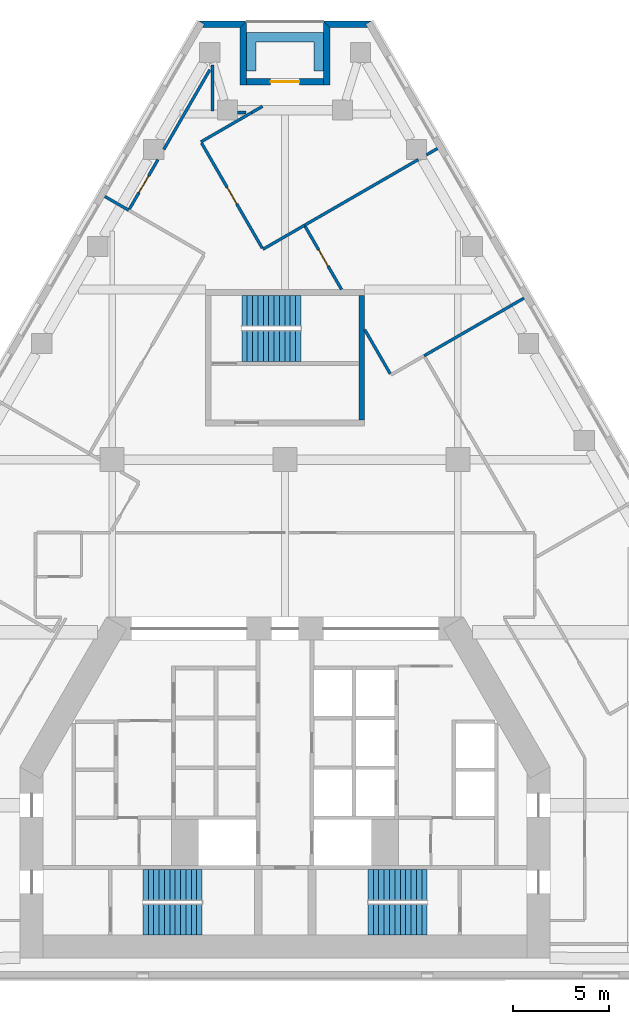
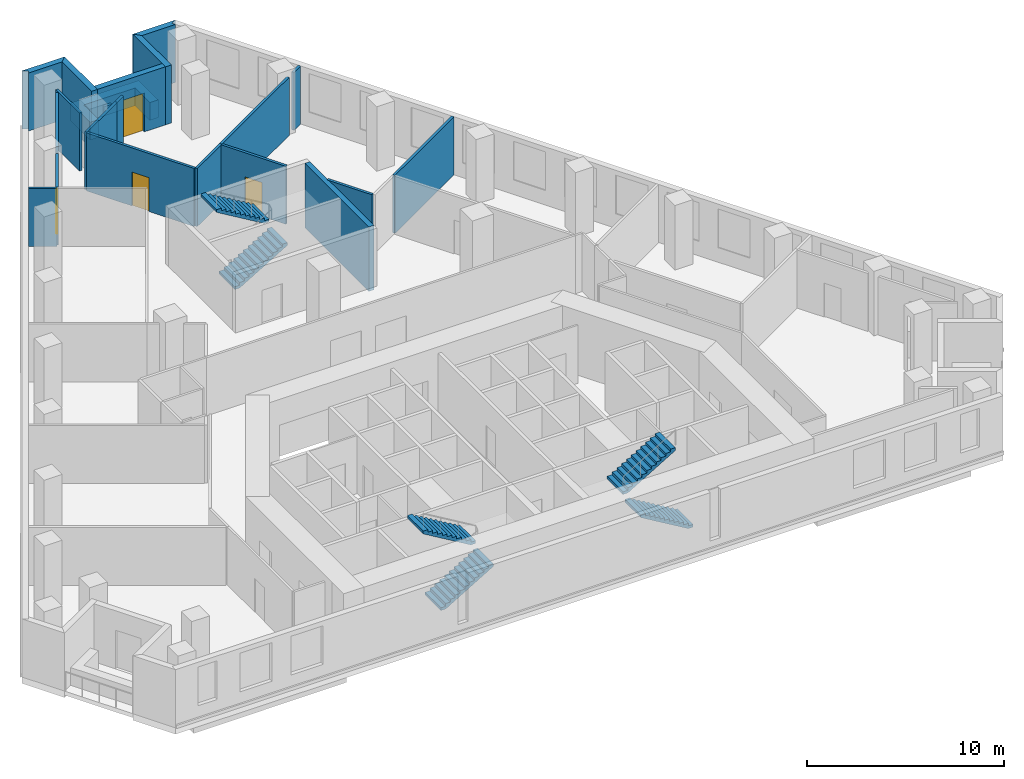
# One storey, part 7 of 8: 21 walls, 6 stair flights, 4 doors, 4 openings, 3 elements without a shape of their own.
"""IFC4 building model written with IfcOpenShell, lengths in metres."""

import ifcopenshell
import ifcopenshell.guid

model = None  # the IFC model being written
_history = None  # IfcOwnerHistory: only IFC2X3 demands one
_inside = {}  # id of a spatial element -> (the spatial element, [elements in it])
_under = {}  # id of a project, library or spatial element -> (it, [spatial elements below it])
_declared = {}  # id of a project -> (the project, [libraries it declares])
_typed = {}  # id of a type object -> (the type object, [elements of that type])
_made_of = {}  # id of a material, layer set ... -> (it, [elements and type objects made of it])


def new_model(schema):
    """Start an empty IFC model of exactly this schema.

    Asked for "IFC4X3", IfcOpenShell would pick the latest addendum, in which some entities
    have other attributes; the version numbers below select the first issue.
    IFC2X3 requires an IfcOwnerHistory on every rooted entity: one is made here for all.
    """
    global model, _history
    if schema == "IFC4X3":
        model = ifcopenshell.file(schema_version=(4, 3, 0, 0))
    else:
        model = ifcopenshell.file(schema=schema)
    _inside.clear()
    _under.clear()
    _declared.clear()
    _typed.clear()
    _made_of.clear()
    _history = None
    if model.schema == "IFC2X3":
        org = make("IfcOrganization", Name="unknown")
        user = make(
            "IfcPersonAndOrganization",
            ThePerson=make("IfcPerson", FamilyName="unknown"),
            TheOrganization=org,
        )
        app = make(
            "IfcApplication",
            ApplicationDeveloper=org,
            Version="unknown",
            ApplicationFullName="unknown",
            ApplicationIdentifier="unknown",
        )
        _history = make(
            "IfcOwnerHistory",
            OwningUser=user,
            OwningApplication=app,
            ChangeAction="ADDED",
            CreationDate=0,
        )
    return model


def make(cls, **values):
    """One entity of the class cls with the attributes given. An attribute that is None is left unset."""
    return model.create_entity(
        cls, **{name: value for name, value in values.items() if value is not None}
    )


def rooted(cls, **values):
    """An entity with a GlobalId (a new one), such as an element, a storey or a relation."""
    return make(cls, GlobalId=ifcopenshell.guid.new(), OwnerHistory=_history, **values)


def si_unit(unit_type, name, prefix=None):
    """IfcSIUnit, for example si_unit("LENGTHUNIT", "METRE", prefix="MILLI")."""
    return make("IfcSIUnit", UnitType=unit_type, Prefix=prefix, Name=name)


def assignment(units):
    """IfcUnitAssignment: the units of a project."""
    return None if units is None else make("IfcUnitAssignment", Units=units)


def point(xyz):
    """IfcCartesianPoint."""
    return None if xyz is None else make("IfcCartesianPoint", Coordinates=xyz)


def direction(xyz):
    """IfcDirection."""
    return None if xyz is None else make("IfcDirection", DirectionRatios=xyz)


def frame(location, z_axis=None, x_axis=None):
    """IfcAxis2Placement3D, a coordinate frame: its origin and axes. An axis left out is left unset."""
    return make(
        "IfcAxis2Placement3D",
        Location=point(location),
        Axis=direction(z_axis),
        RefDirection=direction(x_axis),
    )


def frame_2d(location, x_axis=None):
    """IfcAxis2Placement2D, a coordinate frame in the plane: its origin and x axis."""
    return make(
        "IfcAxis2Placement2D", Location=point(location), RefDirection=direction(x_axis)
    )


def origin():
    """The frame at (0, 0, 0) with its axes left unset."""
    return frame((0.0, 0.0, 0.0))


def place(relative_to, where):
    """IfcLocalPlacement: puts the frame where relative to a parent placement (None: the world)."""
    return make(
        "IfcLocalPlacement", PlacementRelTo=relative_to, RelativePlacement=where
    )


def context(
    kind, dimensions, precision=None, world=None, true_north=None, identifier=None
):
    """IfcGeometricRepresentationContext, for example the 3D "Model" context."""
    return make(
        "IfcGeometricRepresentationContext",
        ContextIdentifier=identifier,
        ContextType=kind,
        CoordinateSpaceDimension=dimensions,
        Precision=precision,
        WorldCoordinateSystem=world,
        TrueNorth=true_north,
    )


def subcontext(parent, identifier, kind, view, scale=None):
    """IfcGeometricRepresentationSubContext, for example "Body" below "Model"."""
    return make(
        "IfcGeometricRepresentationSubContext",
        ContextIdentifier=identifier,
        ContextType=kind,
        ParentContext=parent,
        TargetScale=scale,
        TargetView=view,
    )


def project(units=None, contexts=None):
    """IfcProject with its units and contexts."""
    return rooted(
        "IfcProject",
        Name="project",
        RepresentationContexts=contexts,
        UnitsInContext=assignment(units),
    )


def spatial(cls, under=None, at=None, **own):
    """A site, building, storey or space (cls), placed at a placement, below another one or the project."""
    s = rooted(cls, ObjectPlacement=at, **own)
    if under is not None:
        _under.setdefault(under.id(), (under, []))[1].append(s)
    return s


def polyline(points):
    """IfcPolyline through the points."""
    return make("IfcPolyline", Points=[point(p) for p in points])


def profile(cls, at=None, kind="AREA", **sizes):
    """A parametric profile (cls). Its sizes go by their IFC names, for example OverallWidth=200.0."""
    return make(cls, ProfileType=kind, Position=at, **sizes)


def rectangle(**sizes):
    """IfcRectangleProfileDef."""
    return profile("IfcRectangleProfileDef", **sizes)


def outline(outer, holes=None, kind="AREA"):
    """IfcArbitraryClosedProfileDef: a profile drawn as a closed curve; with holes, ...WithVoids."""
    if holes is None:
        return make("IfcArbitraryClosedProfileDef", ProfileType=kind, OuterCurve=outer)
    return make(
        "IfcArbitraryProfileDefWithVoids",
        ProfileType=kind,
        OuterCurve=outer,
        InnerCurves=holes,
    )


def extrude(swept, where, along, depth):
    """IfcExtrudedAreaSolid: the profile swept, set in the frame where, extruded along a direction by depth."""
    return make(
        "IfcExtrudedAreaSolid",
        SweptArea=swept,
        Position=where,
        ExtrudedDirection=direction(along),
        Depth=depth,
    )


def shape(context_of_items, identifier, shape_type, items):
    """IfcShapeRepresentation: the items that make up one representation, for example the "Body"."""
    return make(
        "IfcShapeRepresentation",
        ContextOfItems=context_of_items,
        RepresentationIdentifier=identifier,
        RepresentationType=shape_type,
        Items=items,
    )


def material(Name=None, Category=None):
    """IfcMaterial."""
    return make("IfcMaterial", Name=Name, Category=Category)


def layer(
    of_material, thickness, ventilated=None, Name=None, Category=None, Priority=None
):
    """IfcMaterialLayer: one layer of a wall or slab, of a material (None: an air gap)."""
    return make(
        "IfcMaterialLayer",
        Material=of_material,
        LayerThickness=thickness,
        IsVentilated=ventilated,
        Name=Name,
        Category=Category,
        Priority=Priority,
    )


def layer_set(layers, Name=None):
    """IfcMaterialLayerSet."""
    return make("IfcMaterialLayerSet", MaterialLayers=layers, LayerSetName=Name)


def made_of(thing, what):
    """Note that an element or type object is made of a material, layer set ...; save() writes the relation."""
    if what is not None:
        _made_of.setdefault(what.id(), (what, []))[1].append(thing)
    return thing


def type_object(cls, material=None, **own):
    """A type object (cls), such as IfcWallType, which elements share."""
    return made_of(rooted(cls, **own), material)


def element(
    cls,
    number,
    at=None,
    inside=None,
    cuts=None,
    type_object=None,
    material=None,
    context=None,
    identifier="Body",
    shape_type=None,
    held_by="IfcProductDefinitionShape",
    body=None,
    shapes=None,
    **own,
):
    """One element of the class cls, such as IfcWall. Its Tag is "e" and its number.

    at: its placement. inside: the storey or other place that contains it. cuts: it is an
    opening in that element (IfcRelVoidsElement). A single representation is given by context,
    identifier, shape_type and body (its items); several are given by shapes. held_by: the class
    of the entity that holds the representations. save() writes the other relations.
    """
    e = rooted(cls, Tag="e%d" % number, ObjectPlacement=at, **own)
    if body is not None:
        shapes = [shape(context, identifier, shape_type, body)]
    if shapes is not None:
        e.Representation = make(held_by, Representations=shapes)
    if inside is not None:
        _inside.setdefault(inside.id(), (inside, []))[1].append(e)
    if cuts is not None:
        rooted(
            "IfcRelVoidsElement", RelatingBuildingElement=cuts, RelatedOpeningElement=e
        )
    if type_object is not None:
        _typed.setdefault(type_object.id(), (type_object, []))[1].append(e)
    return made_of(e, material)


def fill(opening, filler):
    """IfcRelFillsElement: the door or window that sits in an opening."""
    return rooted(
        "IfcRelFillsElement",
        RelatingOpeningElement=opening,
        RelatedBuildingElement=filler,
    )


def aggregate(whole, parts):
    """IfcRelAggregates: a whole, such as a stair, and the parts it consists of."""
    return rooted("IfcRelAggregates", RelatingObject=whole, RelatedObjects=parts)


def save(model, path):
    """Write the relations noted so far, then the file.

    IfcRelAggregates (storeys below a building ...), IfcRelContainedInSpatialStructure (elements
    in a storey), IfcRelDefinesByType, IfcRelAssociatesMaterial and IfcRelDeclares: one each for
    every whole, place, type object, material and project.
    """
    for whole, parts in _under.values():
        aggregate(whole, parts)
    for where, things in _inside.values():
        rooted(
            "IfcRelContainedInSpatialStructure",
            RelatedElements=things,
            RelatingStructure=where,
        )
    for kind, things in _typed.values():
        rooted("IfcRelDefinesByType", RelatedObjects=things, RelatingType=kind)
    for what, things in _made_of.values():
        rooted("IfcRelAssociatesMaterial", RelatedObjects=things, RelatingMaterial=what)
    for by, libraries in _declared.values():
        rooted("IfcRelDeclares", RelatingContext=by, RelatedDefinitions=libraries)
    model.write(path)


model = new_model("IFC4")

# Units and contexts
model_context = context("Model", 3, precision=1e-05, world=origin(), true_north=direction((0.0, 1.0)))
body_context = subcontext(model_context, "Body", "Model", "MODEL_VIEW")
ifc_project = project(units=[si_unit("LENGTHUNIT", "METRE"), si_unit("AREAUNIT", "SQUARE_METRE"), si_unit("VOLUMEUNIT", "CUBIC_METRE"), si_unit("PLANEANGLEUNIT", "RADIAN"), si_unit("MASSUNIT", "GRAM", prefix="KILO")], contexts=[model_context])

# Site, building, storey
site_placement = place(None, origin())
site = spatial("IfcSite", under=ifc_project, at=site_placement, CompositionType="ELEMENT")
building_placement = place(site_placement, origin())
building = spatial("IfcBuilding", under=site, at=building_placement, Name="Fogline Exchange Tower", CompositionType="ELEMENT")
storey_placement = place(building_placement, frame((0.0, 0.0, 158.89990234375)))
storey = spatial("IfcBuildingStorey", under=building, at=storey_placement, Name="L35", CompositionType="ELEMENT", Elevation=158.89990234375)

# Walls
ifc_material_1 = material(Name="Concrete C40", Category="concrete")
ifc_layer_1 = layer(ifc_material_1, 0.300048828125)
ifc_layer_set_1 = layer_set([ifc_layer_1], Name="CW30")
wall_type_1 = type_object("IfcWallType", Name="CW30", PredefinedType="SOLIDWALL", material=ifc_layer_set_1)
wall_1_placement = place(storey_placement, frame((4.0, 29.056884765625, -0.39990234375), z_axis=(0.0, 0.0, 1.0), x_axis=(0.0, 1.0, 0.0)))
element("IfcWall", 1, at=wall_1_placement, inside=storey, type_object=wall_type_1, Name="Stair enclosure wall ST3", PredefinedType="SOLIDWALL", context=body_context, shape_type="SweptSolid", body=[
    extrude(rectangle(XDim=6.5, YDim=0.300048828125, at=frame_2d((3.25, 0.0))), origin(), (0.0, 0.0, 1.0), 4.0),
])
ifc_material_2 = material(Name="Brick masonry", Category="masonry")
ifc_layer_2 = layer(ifc_material_2, 0.340087890625)
ifc_layer_set_2 = layer_set([ifc_layer_2], Name="FW1")
wall_type_2 = type_object("IfcWallType", Name="FW1", PredefinedType="SOLIDWALL", material=ifc_layer_set_2)
wall_2_placement = place(storey_placement, origin())
element("IfcWall", 2, at=wall_2_placement, inside=storey, type_object=wall_type_2, Name="Brick wall L35 N-c1", PredefinedType="SOLIDWALL", context=body_context, shape_type="SweptSolid", body=[
    extrude(outline(polyline([(1.9990234375, 49.84228515625), (4.5009765625, 49.84228515625), (4.501220703125, 49.841552734375), (4.206298828125, 49.67138671875), (4.3046875, 49.5009765625), (2.33984375, 49.5009765625), (1.998779296875, 49.842041015625), (1.9990234375, 49.84228515625)])), origin(), (0.0, 0.0, 1.0), 3.60009765625),
])
wall_3_placement = place(storey_placement, origin())
element("IfcWall", 3, at=wall_3_placement, inside=storey, type_object=wall_type_2, Name="Brick wall L35 N-s1", PredefinedType="SOLIDWALL", context=body_context, shape_type="SweptSolid", body=[
    extrude(outline(polyline([(2.340576171875, 46.5009765625), (1.99951171875, 46.5009765625), (1.99951171875, 49.8427734375), (1.999755859375, 49.8427734375), (2.340576171875, 49.501953125), (2.340576171875, 46.5009765625)])), origin(), (0.0, 0.0, 1.0), 3.60009765625),
])

# Wall, opening, door
wall_4_placement = place(storey_placement, frame((2.0, 46.671630859375, 0.0), z_axis=(0.0, 0.0, 1.0), x_axis=(-1.0, 0.0, 0.0)))
wall_4 = element("IfcWall", 4, at=wall_4_placement, inside=storey, type_object=wall_type_2, Name="Brick wall L35 N-bk", PredefinedType="SOLIDWALL", context=body_context, shape_type="SweptSolid", body=[
    extrude(rectangle(XDim=4.0, YDim=0.340087890625, at=frame_2d((2.0, 0.0))), origin(), (0.0, 0.0, 1.0), 3.60009765625),
])
opening_1_placement = place(wall_4_placement, frame((1.25, 0.0, 0.0)))
opening_1 = element("IfcOpeningElement", 5, at=opening_1_placement, cuts=wall_4, Name="Opening T11-E141", PredefinedType="OPENING", context=body_context, shape_type="SweptSolid", body=[
    extrude(rectangle(XDim=1.5, YDim=2.39990234375, at=frame_2d((0.75, 1.199951171875))), frame((0.0, 0.18017578125, 0.0), z_axis=(0.0, -1.0, 0.0), x_axis=(1.0, 0.0, 0.0)), (0.0, 0.0, 1.0), 0.360107421875),
])
ifc_material_3 = material(Name="Aluminium and glass", Category="aluminium")
door_type_1 = type_object("IfcDoorType", Name="ED4", OperationType="SINGLE_SWING_LEFT", PredefinedType="DOOR", material=ifc_material_3)
door_1_placement = place(opening_1_placement, frame((1.5, 0.0, 0.0), z_axis=(0.0, 0.0, 1.0), x_axis=(-1.0, 0.0, 0.0)))
door_1 = element("IfcDoor", 6, at=door_1_placement, inside=storey, type_object=door_type_1, Name="Balcony door L35 N", OperationType="DOUBLE_DOOR_SINGLE_SWING", OverallHeight=2.39990234375, OverallWidth=1.5, PredefinedType="DOOR", context=body_context, shape_type="SweptSolid", body=[
    extrude(rectangle(XDim=1.5, YDim=2.39990234375, at=frame_2d((0.75, 1.199951171875))), frame((0.0, 0.02490234375, 0.0), z_axis=(0.0, -1.0, 0.0), x_axis=(1.0, 0.0, 0.0)), (0.0, 0.0, 1.0), 0.050048828125),
])
fill(opening_1, door_1)

# Walls
wall_5_placement = place(storey_placement, origin())
element("IfcWall", 7, at=wall_5_placement, inside=storey, type_object=wall_type_2, Name="Brick wall L35 N-s2", PredefinedType="SOLIDWALL", context=body_context, shape_type="SweptSolid", body=[
    extrude(outline(polyline([(-1.99951171875, 49.8427734375), (-1.99951171875, 46.5009765625), (-2.340576171875, 46.5009765625), (-2.340576171875, 49.501953125), (-1.999755859375, 49.8427734375), (-1.99951171875, 49.8427734375)])), origin(), (0.0, 0.0, 1.0), 3.60009765625),
])
wall_6_placement = place(storey_placement, origin())
element("IfcWall", 8, at=wall_6_placement, inside=storey, type_object=wall_type_2, Name="Brick wall L35 N-c2", PredefinedType="SOLIDWALL", context=body_context, shape_type="SweptSolid", body=[
    extrude(outline(polyline([(-4.3046875, 49.5009765625), (-4.206298828125, 49.67138671875), (-4.501220703125, 49.841552734375), (-4.5009765625, 49.84228515625), (-1.9990234375, 49.84228515625), (-1.998779296875, 49.842041015625), (-2.33984375, 49.5009765625), (-4.3046875, 49.5009765625)])), origin(), (0.0, 0.0, 1.0), 3.60009765625),
])
ifc_material_4 = material(Name="Concrete C30", Category="concrete")
ifc_layer_3 = layer(ifc_material_4, 0.199951171875)
ifc_layer_set_3 = layer_set([ifc_layer_3], Name="PL1")
wall_type_3 = type_object("IfcWallType", Name="PL1", PredefinedType="USERDEFINED", material=ifc_layer_set_3)
wall_7_placement = place(storey_placement, origin())
element("IfcWall", 9, at=wall_7_placement, inside=storey, type_object=wall_type_3, Name="PLANTER balcony L35 N", ObjectType="PLANTER", PredefinedType="USERDEFINED", context=body_context, shape_type="SweptSolid", body=[
    extrude(outline(polyline([(-1.5, 49.24169921875), (-2.0, 49.24169921875), (-2.0, 48.74169921875), (-2.0, 47.24169921875), (-1.5, 47.24169921875), (-1.5, 48.74169921875), (1.5, 48.74169921875), (1.5, 47.24169921875), (2.0, 47.24169921875), (2.0, 48.74169921875), (2.0, 49.24169921875), (1.5, 49.24169921875), (-1.5, 49.24169921875)])), origin(), (0.0, 0.0, 1.0), 1.10009765625),
])
ifc_material_5 = material(Name="Plasterboard demising partition with mineral wool and acoustic board")
ifc_layer_4 = layer(ifc_material_5, 0.14990234375)
ifc_layer_set_4 = layer_set([ifc_layer_4], Name="PW3")
wall_type_4 = type_object("IfcWallType", Name="PW3", PredefinedType="PARTITIONING", material=ifc_layer_set_4)
wall_8_placement = place(storey_placement, frame((7.2451171875, 32.40673828125, 0.0), z_axis=(0.0, 0.0, 1.0), x_axis=(0.866031096941, 0.499990139034, 0.0)))
element("IfcWall", 10, at=wall_8_placement, inside=storey, type_object=wall_type_4, Name="wall-L35-W023", PredefinedType="PARTITIONING", context=body_context, shape_type="SweptSolid", body=[
    extrude(rectangle(XDim=6.0, YDim=0.14990234375, at=frame_2d((3.0, 0.0))), origin(), (0.0, 0.0, 1.0), 3.60009765625),
])
wall_9_placement = place(storey_placement, frame((1.01318359375, 39.200927734375, 0.0), z_axis=(0.0, 0.0, 1.0), x_axis=(0.866025119933, 0.500000491645, 0.0)))
element("IfcWall", 11, at=wall_9_placement, inside=storey, type_object=wall_type_4, Name="wall-L35-W025", PredefinedType="PARTITIONING", context=body_context, shape_type="SweptSolid", body=[
    extrude(rectangle(XDim=6.8408203125, YDim=0.14990234375, at=frame_2d((3.42041015625, 0.0))), origin(), (0.0, 0.0, 1.0), 3.60009765625),
])
wall_10_placement = place(storey_placement, frame((7.36328125, 42.8671875, 0.0), z_axis=(0.0, 0.0, 1.0), x_axis=(0.866051602307, 0.499954620082, 0.0)))
element("IfcWall", 12, at=wall_10_placement, inside=storey, type_object=wall_type_4, Name="wall-L35-W026", PredefinedType="PARTITIONING", context=body_context, shape_type="SweptSolid", body=[
    extrude(rectangle(XDim=0.66748046875, YDim=0.14990234375, at=frame_2d((0.333740234375, 0.0))), origin(), (0.0, 0.0, 1.0), 3.60009765625),
])
wall_11_placement = place(storey_placement, frame((5.4755859375, 31.4716796875, 0.0), z_axis=(0.0, 0.0, 1.0), x_axis=(-0.500001430823, 0.866024577697, 0.0)))
element("IfcWall", 13, at=wall_11_placement, inside=storey, type_object=wall_type_4, Name="wall-L35-W028", PredefinedType="PARTITIONING", context=body_context, shape_type="SweptSolid", body=[
    extrude(rectangle(XDim=2.6513671875, YDim=0.14990234375, at=frame_2d((1.32568359375, 0.0))), origin(), (0.0, 0.0, 1.0), 3.60009765625),
])

# Wall, opening, door
wall_12_placement = place(storey_placement, frame((2.94384765625, 35.85693359375, 0.0), z_axis=(0.0, 0.0, 1.0), x_axis=(-0.49998106849, 0.866036333621, 0.0)))
wall_12 = element("IfcWall", 14, at=wall_12_placement, inside=storey, type_object=wall_type_4, Name="wall-L35-W029", PredefinedType="PARTITIONING", context=body_context, shape_type="SweptSolid", body=[
    extrude(rectangle(XDim=3.786376953125, YDim=0.14990234375, at=frame_2d((1.89306640625, 0.0))), origin(), (0.0, 0.0, 1.0), 3.60009765625),
])
opening_2_placement = place(wall_12_placement, frame((1.39306640625, 0.0, 0.0)))
opening_2 = element("IfcOpeningElement", 15, at=opening_2_placement, cuts=wall_12, Name="Opening T11-D009", PredefinedType="OPENING", context=body_context, shape_type="SweptSolid", body=[
    extrude(rectangle(XDim=1.0, YDim=2.10009765625, at=frame_2d((0.5, 1.050048828125))), frame((0.0, 0.0849609375, 0.0), z_axis=(0.0, -1.0, 0.0), x_axis=(1.0, 0.0, 0.0)), (0.0, 0.0, 1.0), 0.169921875),
])
ifc_material_6 = material(Name="Fire-rated timber door leaf with steel frame", Category="steel")
door_type_2 = type_object("IfcDoorType", Name="D3", OperationType="SINGLE_SWING_LEFT", PredefinedType="DOOR", material=ifc_material_6)
door_2_placement = place(opening_2_placement, frame((1.0, 0.0, 0.0), z_axis=(0.0, 0.0, 1.0), x_axis=(-1.0, 0.0, 0.0)))
door_2 = element("IfcDoor", 16, at=door_2_placement, inside=storey, type_object=door_type_2, Name="door-L35-D009", OperationType="SINGLE_SWING_LEFT", OverallHeight=2.10009765625, OverallWidth=1.0, PredefinedType="DOOR", context=body_context, shape_type="SweptSolid", body=[
    extrude(rectangle(XDim=1.0, YDim=2.10009765625, at=frame_2d((0.5, 1.050048828125))), frame((0.0, 0.02490234375, 0.0), z_axis=(0.0, -1.0, 0.0), x_axis=(1.0, 0.0, 0.0)), (0.0, 0.0, 1.0), 0.050048828125),
])
fill(opening_2, door_2)

# Wall
wall_13_placement = place(storey_placement, frame((1.01318359375, 39.200927734375, 0.0), z_axis=(0.0, 0.0, 1.0), x_axis=(-0.866022959057, -0.500004234368, 0.0)))
element("IfcWall", 17, at=wall_13_placement, inside=storey, type_object=wall_type_4, Name="wall-L35-W030", PredefinedType="PARTITIONING", context=body_context, shape_type="SweptSolid", body=[
    extrude(rectangle(XDim=2.5, YDim=0.14990234375, at=frame_2d((1.25, 0.0))), origin(), (0.0, 0.0, 1.0), 3.60009765625),
])

# Wall, opening, door
wall_14_placement = place(storey_placement, frame((-1.189453125, 38.01611328125, 0.0), z_axis=(0.0, 0.0, 1.0), x_axis=(-0.50001509031, 0.866016691215, 0.0)))
wall_14 = element("IfcWall", 18, at=wall_14_placement, inside=storey, type_object=wall_type_4, Name="wall-L35-W031", PredefinedType="PARTITIONING", context=body_context, shape_type="SweptSolid", body=[
    extrude(rectangle(XDim=6.306884765625, YDim=0.14990234375, at=frame_2d((3.1533203125, 0.0))), origin(), (0.0, 0.0, 1.0), 3.60009765625),
])
opening_3_placement = place(wall_14_placement, frame((2.653564453125, 0.0, 0.0)))
opening_3 = element("IfcOpeningElement", 19, at=opening_3_placement, cuts=wall_14, Name="Opening T11-D010", PredefinedType="OPENING", context=body_context, shape_type="SweptSolid", body=[
    extrude(rectangle(XDim=1.0, YDim=2.10009765625, at=frame_2d((0.5, 1.050048828125))), frame((0.0, 0.0849609375, 0.0), z_axis=(0.0, -1.0, 0.0), x_axis=(1.0, 0.0, 0.0)), (0.0, 0.0, 1.0), 0.169921875),
])
door_3_placement = place(opening_3_placement, frame((1.0, 0.0, 0.0), z_axis=(0.0, 0.0, 1.0), x_axis=(-1.0, 0.0, 0.0)))
door_3 = element("IfcDoor", 20, at=door_3_placement, inside=storey, type_object=door_type_2, Name="door-L35-D010", OperationType="SINGLE_SWING_RIGHT", OverallHeight=2.10009765625, OverallWidth=1.0, PredefinedType="DOOR", context=body_context, shape_type="SweptSolid", body=[
    extrude(rectangle(XDim=1.0, YDim=2.10009765625, at=frame_2d((0.5, 1.050048828125))), frame((0.0, 0.02490234375, 0.0), z_axis=(0.0, -1.0, 0.0), x_axis=(1.0, 0.0, 0.0)), (0.0, 0.0, 1.0), 0.050048828125),
])
fill(opening_3, door_3)

# Walls
wall_15_placement = place(storey_placement, frame((-4.38037109375, 43.54296875, 0.0), z_axis=(0.0, 0.0, 1.0), x_axis=(0.865998600028, 0.500046422594, 0.0)))
element("IfcWall", 21, at=wall_15_placement, inside=storey, type_object=wall_type_4, Name="wall-L35-W032", PredefinedType="PARTITIONING", context=body_context, shape_type="SweptSolid", body=[
    extrude(rectangle(XDim=3.044189453125, YDim=0.14990234375, at=frame_2d((1.52197265625, 0.0))), origin(), (0.0, 0.0, 1.0), 3.60009765625),
])
wall_16_placement = place(storey_placement, frame((-1.744140625, 45.065185546875, 0.0), z_axis=(0.0, 0.0, 1.0), x_axis=(0.865993787616, 0.500054756813, 0.0)))
element("IfcWall", 22, at=wall_16_placement, inside=storey, type_object=wall_type_4, Name="wall-L35-W033", PredefinedType="PARTITIONING", context=body_context, shape_type="SweptSolid", body=[
    extrude(rectangle(XDim=0.6572265625, YDim=0.14990234375, at=frame_2d((0.32861328125, 0.0))), origin(), (0.0, 0.0, 1.0), 3.60009765625),
])

# Wall, opening, door
wall_17_placement = place(storey_placement, frame((-8.102294921875, 40.04931640625, 0.0), z_axis=(0.0, 0.0, 1.0), x_axis=(0.500037910135, 0.866003515251, 0.0)))
wall_17 = element("IfcWall", 23, at=wall_17_placement, inside=storey, type_object=wall_type_4, Name="wall-L35-W034", PredefinedType="PARTITIONING", context=body_context, shape_type="SweptSolid", body=[
    extrude(rectangle(XDim=2.969970703125, YDim=0.14990234375, at=frame_2d((1.48486328125, 0.0))), origin(), (0.0, 0.0, 1.0), 3.60009765625),
])
opening_4_placement = place(wall_17_placement, frame((0.985107421875, 0.0, 0.0)))
opening_4 = element("IfcOpeningElement", 24, at=opening_4_placement, cuts=wall_17, Name="Opening T11-D011", PredefinedType="OPENING", context=body_context, shape_type="SweptSolid", body=[
    extrude(rectangle(XDim=1.0, YDim=2.10009765625, at=frame_2d((0.5, 1.050048828125))), frame((0.0, 0.0849609375, 0.0), z_axis=(0.0, -1.0, 0.0), x_axis=(1.0, 0.0, 0.0)), (0.0, 0.0, 1.0), 0.169921875),
])
door_4_placement = place(opening_4_placement, origin())
door_4 = element("IfcDoor", 25, at=door_4_placement, inside=storey, type_object=door_type_2, Name="door-L35-D011", OperationType="SINGLE_SWING_LEFT", OverallHeight=2.10009765625, OverallWidth=1.0, PredefinedType="DOOR", context=body_context, shape_type="SweptSolid", body=[
    extrude(rectangle(XDim=1.0, YDim=2.10009765625, at=frame_2d((0.5, 1.050048828125))), frame((0.0, 0.02490234375, 0.0), z_axis=(0.0, -1.0, 0.0), x_axis=(1.0, 0.0, 0.0)), (0.0, 0.0, 1.0), 0.050048828125),
])
fill(opening_4, door_4)

# Walls
wall_18_placement = place(storey_placement, frame((-6.3134765625, 43.147705078125, 0.0), z_axis=(0.0, 0.0, 1.0), x_axis=(0.500011970786, 0.866018492338, 0.0)))
element("IfcWall", 26, at=wall_18_placement, inside=storey, type_object=wall_type_4, Name="wall-L35-W035", PredefinedType="PARTITIONING", context=body_context, shape_type="SweptSolid", body=[
    extrude(rectangle(XDim=4.79345703125, YDim=0.14990234375, at=frame_2d((2.396728515625, 0.0))), origin(), (0.0, 0.0, 1.0), 3.60009765625),
])
wall_19_placement = place(storey_placement, frame((-3.776611328125, 47.541748046875, 0.0), z_axis=(0.0, 0.0, 1.0), x_axis=(0.0, -1.0, 0.0)))
element("IfcWall", 27, at=wall_19_placement, inside=storey, type_object=wall_type_4, Name="wall-L35-W036", PredefinedType="PARTITIONING", context=body_context, shape_type="SweptSolid", body=[
    extrude(rectangle(XDim=2.401611328125, YDim=0.14990234375, at=frame_2d((1.20068359375, 0.0))), origin(), (0.0, 0.0, 1.0), 3.60009765625),
])
wall_20_placement = place(storey_placement, frame((-2.47509765625, 45.065185546875, 0.0), z_axis=(0.0, 0.0, 1.0), x_axis=(1.0, 0.0, 0.0)))
element("IfcWall", 28, at=wall_20_placement, inside=storey, type_object=wall_type_4, Name="wall-L35-W037", PredefinedType="PARTITIONING", context=body_context, shape_type="SweptSolid", body=[
    extrude(rectangle(XDim=0.45068359375, YDim=0.14990234375, at=frame_2d((0.225341796875, 0.0))), origin(), (0.0, 0.0, 1.0), 3.60009765625),
])
wall_21_placement = place(storey_placement, frame((-8.139892578125, 39.984375, 0.0), z_axis=(0.0, 0.0, 1.0), x_axis=(-0.866069535745, 0.49992355341, 0.0)))
element("IfcWall", 29, at=wall_21_placement, inside=storey, type_object=wall_type_4, Name="wall-L35-W043", PredefinedType="PARTITIONING", context=body_context, shape_type="SweptSolid", body=[
    extrude(rectangle(XDim=1.436279296875, YDim=0.14990234375, at=frame_2d((0.71826171875, 0.0))), origin(), (0.0, 0.0, 1.0), 3.60009765625),
])

# Stair, stair flights
stair_type = type_object("IfcStairType", Name="STR24-1667", PredefinedType="HALF_TURN_STAIR", material=ifc_material_1)
stair_1_placement = place(storey_placement, origin())
stair_1 = element("IfcStair", 30, at=stair_1_placement, inside=storey, type_object=stair_type, Name="Stair ST1", PredefinedType="HALF_TURN_STAIR")
stair_flight_type = type_object("IfcStairFlightType", Name="SF12-1667", PredefinedType="STRAIGHT", material=ifc_material_1)
stair_flight_1_placement = place(storey_placement, frame((-7.39990234375, 3.050048828125, 0.0), z_axis=(0.0, 0.0, 1.0), x_axis=(1.0, 0.0, 0.0)))
stair_flight_1 = element("IfcStairFlight", 31, at=stair_flight_1_placement, type_object=stair_flight_type, Name="ST1 flight 1", NumberOfRisers=12, NumberOfTreads=11, PredefinedType="STRAIGHT", RiserHeight=0.166666667, TreadLength=0.28, context=body_context, shape_type="SweptSolid", body=[
    extrude(outline(polyline([(0.0, 0.0), (0.0, 0.166748046875), (0.280029296875, 0.166748046875), (0.280029296875, 0.333251953125), (0.56005859375, 0.333251953125), (0.56005859375, 0.5), (0.840087890625, 0.5), (0.840087890625, 0.666748046875), (1.1201171875, 0.666748046875), (1.1201171875, 0.833251953125), (1.39990234375, 0.833251953125), (1.39990234375, 1.0), (1.679931640625, 1.0), (1.679931640625, 1.166748046875), (1.9599609375, 1.166748046875), (1.9599609375, 1.333251953125), (2.239990234375, 1.333251953125), (2.239990234375, 1.5), (2.52001953125, 1.5), (2.52001953125, 1.666748046875), (2.800048828125, 1.666748046875), (2.800048828125, 1.833251953125), (3.080078125, 1.833251953125), (3.080078125, 2.0), (3.080078125, 1.658935546875), (0.29296875, 0.0), (0.0, 0.0)])), frame((0.0, 0.800048828125, 0.0), z_axis=(0.0, -1.0, 0.0), x_axis=(1.0, 0.0, 0.0)), (0.0, 0.0, 1.0), 1.60009765625),
])
stair_flight_2_placement = place(storey_placement, frame((-4.320068359375, 4.85009765625, 2.0), z_axis=(0.0, 0.0, 1.0), x_axis=(-1.0, 0.0, 0.0)))
stair_flight_2 = element("IfcStairFlight", 32, at=stair_flight_2_placement, type_object=stair_flight_type, Name="ST1 flight 2", NumberOfRisers=12, NumberOfTreads=11, PredefinedType="STRAIGHT", RiserHeight=0.166666667, TreadLength=0.28, context=body_context, shape_type="SweptSolid", body=[
    extrude(outline(polyline([(0.0, 0.0), (0.0, 0.166748046875), (0.280029296875, 0.166748046875), (0.280029296875, 0.333251953125), (0.56005859375, 0.333251953125), (0.56005859375, 0.5), (0.840087890625, 0.5), (0.840087890625, 0.666748046875), (1.1201171875, 0.666748046875), (1.1201171875, 0.833251953125), (1.39990234375, 0.833251953125), (1.39990234375, 1.0), (1.679931640625, 1.0), (1.679931640625, 1.166748046875), (1.9599609375, 1.166748046875), (1.9599609375, 1.333251953125), (2.239990234375, 1.333251953125), (2.239990234375, 1.5), (2.52001953125, 1.5), (2.52001953125, 1.666748046875), (2.800048828125, 1.666748046875), (2.800048828125, 1.833251953125), (3.080078125, 1.833251953125), (3.080078125, 2.0), (3.080078125, 1.658935546875), (0.29296875, 0.0), (0.0, 0.0)])), frame((0.0, 0.800048828125, 0.0), z_axis=(0.0, -1.0, 0.0), x_axis=(1.0, 0.0, 0.0)), (0.0, 0.0, 1.0), 1.60009765625),
])
aggregate(stair_1, [stair_flight_1, stair_flight_2])

stair_2_placement = place(storey_placement, origin())
stair_2 = element("IfcStair", 33, at=stair_2_placement, inside=storey, type_object=stair_type, Name="Stair ST2", PredefinedType="HALF_TURN_STAIR")
stair_flight_3_placement = place(storey_placement, frame((7.39990234375, 3.050048828125, 0.0), z_axis=(0.0, 0.0, 1.0), x_axis=(-1.0, 0.0, 0.0)))
stair_flight_3 = element("IfcStairFlight", 34, at=stair_flight_3_placement, type_object=stair_flight_type, Name="ST2 flight 1", NumberOfRisers=12, NumberOfTreads=11, PredefinedType="STRAIGHT", RiserHeight=0.166666667, TreadLength=0.28, context=body_context, shape_type="SweptSolid", body=[
    extrude(outline(polyline([(0.0, 0.0), (0.0, 0.166748046875), (0.280029296875, 0.166748046875), (0.280029296875, 0.333251953125), (0.56005859375, 0.333251953125), (0.56005859375, 0.5), (0.840087890625, 0.5), (0.840087890625, 0.666748046875), (1.1201171875, 0.666748046875), (1.1201171875, 0.833251953125), (1.39990234375, 0.833251953125), (1.39990234375, 1.0), (1.679931640625, 1.0), (1.679931640625, 1.166748046875), (1.9599609375, 1.166748046875), (1.9599609375, 1.333251953125), (2.239990234375, 1.333251953125), (2.239990234375, 1.5), (2.52001953125, 1.5), (2.52001953125, 1.666748046875), (2.800048828125, 1.666748046875), (2.800048828125, 1.833251953125), (3.080078125, 1.833251953125), (3.080078125, 2.0), (3.080078125, 1.658935546875), (0.29296875, 0.0), (0.0, 0.0)])), frame((0.0, 0.800048828125, 0.0), z_axis=(0.0, -1.0, 0.0), x_axis=(1.0, 0.0, 0.0)), (0.0, 0.0, 1.0), 1.60009765625),
])
stair_flight_4_placement = place(storey_placement, frame((4.320068359375, 4.85009765625, 2.0), z_axis=(0.0, 0.0, 1.0), x_axis=(1.0, 0.0, 0.0)))
stair_flight_4 = element("IfcStairFlight", 35, at=stair_flight_4_placement, type_object=stair_flight_type, Name="ST2 flight 2", NumberOfRisers=12, NumberOfTreads=11, PredefinedType="STRAIGHT", RiserHeight=0.166666667, TreadLength=0.28, context=body_context, shape_type="SweptSolid", body=[
    extrude(outline(polyline([(0.0, 0.0), (0.0, 0.166748046875), (0.280029296875, 0.166748046875), (0.280029296875, 0.333251953125), (0.56005859375, 0.333251953125), (0.56005859375, 0.5), (0.840087890625, 0.5), (0.840087890625, 0.666748046875), (1.1201171875, 0.666748046875), (1.1201171875, 0.833251953125), (1.39990234375, 0.833251953125), (1.39990234375, 1.0), (1.679931640625, 1.0), (1.679931640625, 1.166748046875), (1.9599609375, 1.166748046875), (1.9599609375, 1.333251953125), (2.239990234375, 1.333251953125), (2.239990234375, 1.5), (2.52001953125, 1.5), (2.52001953125, 1.666748046875), (2.800048828125, 1.666748046875), (2.800048828125, 1.833251953125), (3.080078125, 1.833251953125), (3.080078125, 2.0), (3.080078125, 1.658935546875), (0.29296875, 0.0), (0.0, 0.0)])), frame((0.0, 0.800048828125, 0.0), z_axis=(0.0, -1.0, 0.0), x_axis=(1.0, 0.0, 0.0)), (0.0, 0.0, 1.0), 1.60009765625),
])
aggregate(stair_2, [stair_flight_3, stair_flight_4])

stair_3_placement = place(storey_placement, origin())
stair_3 = element("IfcStair", 36, at=stair_3_placement, inside=storey, type_object=stair_type, Name="Stair ST3", PredefinedType="HALF_TURN_STAIR")
stair_flight_5_placement = place(storey_placement, frame((-2.25, 32.906982421875, 0.0), z_axis=(0.0, 0.0, 1.0), x_axis=(1.0, 0.0, 0.0)))
stair_flight_5 = element("IfcStairFlight", 37, at=stair_flight_5_placement, type_object=stair_flight_type, Name="ST3 flight 1", NumberOfRisers=12, NumberOfTreads=11, PredefinedType="STRAIGHT", RiserHeight=0.166666667, TreadLength=0.28, context=body_context, shape_type="SweptSolid", body=[
    extrude(outline(polyline([(0.0, 0.0), (0.0, 0.166748046875), (0.280029296875, 0.166748046875), (0.280029296875, 0.333251953125), (0.56005859375, 0.333251953125), (0.56005859375, 0.5), (0.840087890625, 0.5), (0.840087890625, 0.666748046875), (1.1201171875, 0.666748046875), (1.1201171875, 0.833251953125), (1.39990234375, 0.833251953125), (1.39990234375, 1.0), (1.679931640625, 1.0), (1.679931640625, 1.166748046875), (1.9599609375, 1.166748046875), (1.9599609375, 1.333251953125), (2.239990234375, 1.333251953125), (2.239990234375, 1.5), (2.52001953125, 1.5), (2.52001953125, 1.666748046875), (2.800048828125, 1.666748046875), (2.800048828125, 1.833251953125), (3.080078125, 1.833251953125), (3.080078125, 2.0), (3.080078125, 1.658935546875), (0.29296875, 0.0), (0.0, 0.0)])), frame((0.0, 0.800048828125, 0.0), z_axis=(0.0, -1.0, 0.0), x_axis=(1.0, 0.0, 0.0)), (0.0, 0.0, 1.0), 1.60009765625),
])
stair_flight_6_placement = place(storey_placement, frame((0.830078125, 34.757080078125, 2.0), z_axis=(0.0, 0.0, 1.0), x_axis=(-1.0, 0.0, 0.0)))
stair_flight_6 = element("IfcStairFlight", 38, at=stair_flight_6_placement, type_object=stair_flight_type, Name="ST3 flight 2", NumberOfRisers=12, NumberOfTreads=11, PredefinedType="STRAIGHT", RiserHeight=0.166666667, TreadLength=0.28, context=body_context, shape_type="SweptSolid", body=[
    extrude(outline(polyline([(0.0, 0.0), (0.0, 0.166748046875), (0.280029296875, 0.166748046875), (0.280029296875, 0.333251953125), (0.56005859375, 0.333251953125), (0.56005859375, 0.5), (0.840087890625, 0.5), (0.840087890625, 0.666748046875), (1.1201171875, 0.666748046875), (1.1201171875, 0.833251953125), (1.39990234375, 0.833251953125), (1.39990234375, 1.0), (1.679931640625, 1.0), (1.679931640625, 1.166748046875), (1.9599609375, 1.166748046875), (1.9599609375, 1.333251953125), (2.239990234375, 1.333251953125), (2.239990234375, 1.5), (2.52001953125, 1.5), (2.52001953125, 1.666748046875), (2.800048828125, 1.666748046875), (2.800048828125, 1.833251953125), (3.080078125, 1.833251953125), (3.080078125, 2.0), (3.080078125, 1.658935546875), (0.29296875, 0.0), (0.0, 0.0)])), frame((0.0, 0.800048828125, 0.0), z_axis=(0.0, -1.0, 0.0), x_axis=(1.0, 0.0, 0.0)), (0.0, 0.0, 1.0), 1.60009765625),
])
aggregate(stair_3, [stair_flight_5, stair_flight_6])

save(model, "model.ifc")
